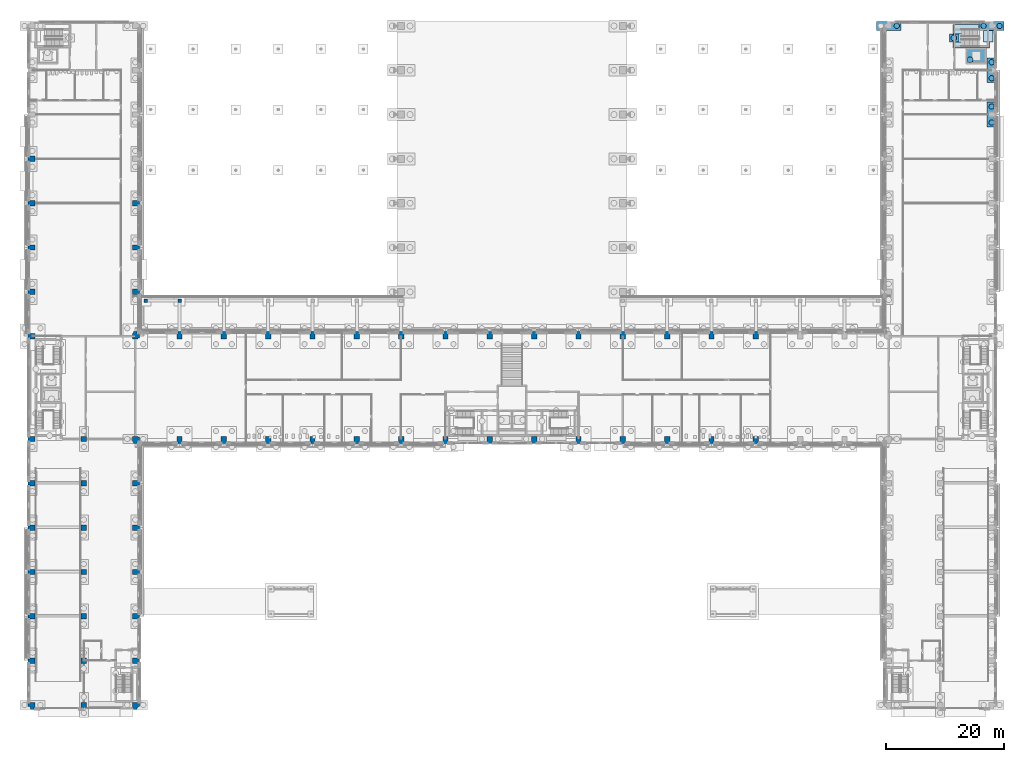
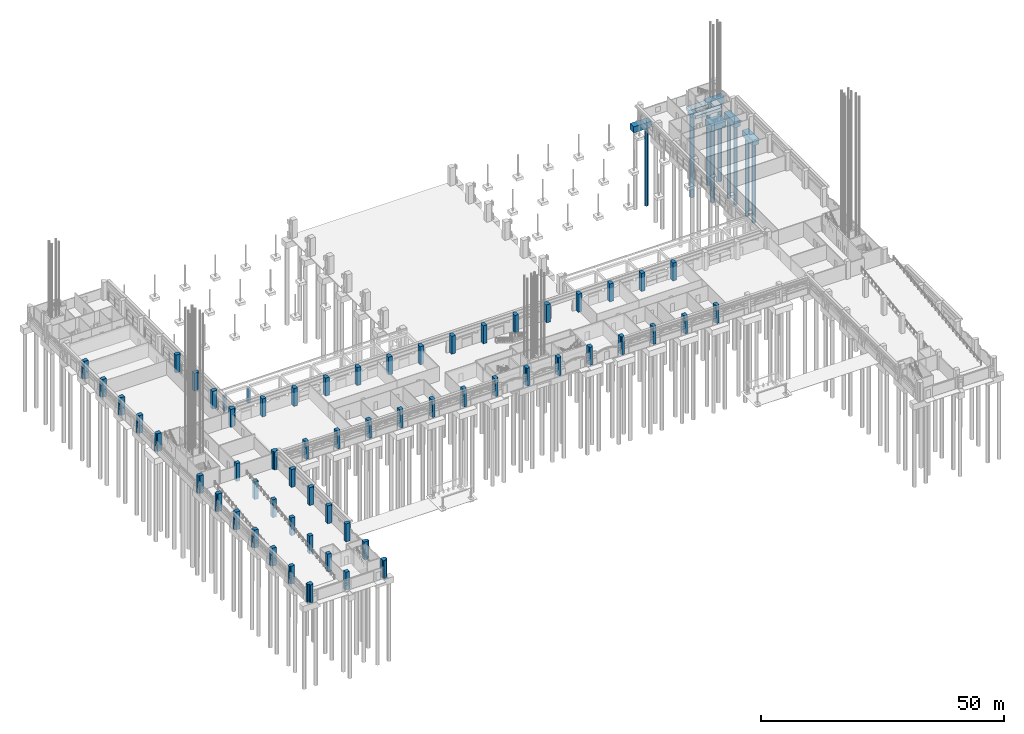
# One storey, part 6 of 99: 60 columns, 9 footings, 9 piles.
"""IFC4 building model written with IfcOpenShell, lengths in metres."""

from ifc_helpers import new_model, si_unit, direction, frame, origin, origin_2d, place, context, subcontext, project, spatial, polyline, rectangle, circle, outline, extrude, material, layer, layer_set, material_profile, profile_set, type_object, element, save


model = new_model("IFC4")

# Units and contexts
model_context = context("Model", 3, precision=1e-05, world=origin(), true_north=direction((0.0, 1.0)))
body_context = subcontext(model_context, "Body", "Model", "MODEL_VIEW")
ifc_project = project(units=[si_unit("LENGTHUNIT", "METRE"), si_unit("AREAUNIT", "SQUARE_METRE"), si_unit("VOLUMEUNIT", "CUBIC_METRE"), si_unit("PLANEANGLEUNIT", "RADIAN"), si_unit("MASSUNIT", "GRAM", prefix="KILO")], contexts=[model_context])

# Site, building, storey
site_placement = place(None, origin())
site = spatial("IfcSite", under=ifc_project, at=site_placement, CompositionType="ELEMENT")
building_placement = place(site_placement, origin())
building = spatial("IfcBuilding", under=site, at=building_placement, Name="Cour d'Honneur Mobility Palace", CompositionType="ELEMENT")
storey_placement = place(building_placement, origin())
storey = spatial("IfcBuildingStorey", under=building, at=storey_placement, Name="L00", CompositionType="ELEMENT", Elevation=0.0)

# Piles
ifc_material_1 = material(Name="Concrete C40", Category="concrete")
ifc_material_profile_1 = material_profile(ifc_material_1, circle(Radius=0.5, at=origin_2d()), Name="Bored pile D1000")
ifc_profile_set_1 = profile_set([ifc_material_profile_1], Name="Concrete C40")
pile_type_1 = type_object("IfcPileType", Name="Bored pile D1000", PredefinedType="BORED", material=ifc_profile_set_1)
pile_1_placement = place(storey_placement, frame((158.675048828125, 109.175048828125, -3.300048828125), z_axis=(0.0, 0.0, -1.0), x_axis=(1.0, 0.0, 0.0)))
element("IfcPile", 1, at=pile_1_placement, inside=storey, type_object=pile_type_1, Name="Bored pile NE.L.1", PredefinedType="BORED", context=body_context, shape_type="SweptSolid", body=[
    extrude(circle(Radius=0.5, at=origin_2d()), origin(), (0.0, 0.0, 1.0), 18.199951171875),
])
pile_2_placement = place(storey_placement, frame((155.89990234375, 112.862548828125, -1.050048828125), z_axis=(0.0, 0.0, -1.0), x_axis=(1.0, 0.0, 0.0)))
element("IfcPile", 2, at=pile_2_placement, inside=storey, type_object=pile_type_1, Name="Bored pile S043.1", PredefinedType="BORED", context=body_context, shape_type="SweptSolid", body=[
    extrude(circle(Radius=0.5, at=origin_2d()), origin(), (0.0, 0.0, 1.0), 20.449951171875),
])
ifc_material_2 = material(Name="Concrete C40", Category="concrete")
ifc_material_profile_2 = material_profile(ifc_material_2, circle(Radius=0.449951171875, at=origin_2d()), Name="Bored pile D900")
ifc_profile_set_2 = profile_set([ifc_material_profile_2], Name="Concrete C40")
pile_type_2 = type_object("IfcPileType", Name="Bored pile D900", PredefinedType="BORED", material=ifc_profile_set_2)
for number, where, z_axis, x_axis, name in (
    (3, (162.300048828125, 98.550048828125, -1.75), (0.0, 0.0, -1.0), (1.0, 0.0, 0.0), "Bored pile L00.20/N.1"),
    (4, (162.300048828125, 101.25, -1.75), (0.0, 0.0, -1.0), (1.0, 0.0, 0.0), "Bored pile L00.20/N.2"),
    (5, (162.300048828125, 106.050048828125, -1.75), (0.0, 0.0, -1.0), (1.0, 0.0, 0.0), "Bored pile L00.20/P.1"),
    (6, (162.300048828125, 108.75, -1.75), (0.0, 0.0, -1.0), (1.0, 0.0, 0.0), "Bored pile L00.20/P.2"),
    (7, (146.25, 114.89990234375, -1.75), (0.0, 0.0, -1.0), (1.0, 0.0, 0.0), "Bored pile L00.19/Q.2"),
    (8, (160.949951171875, 114.89990234375, -1.75), (0.0, 0.0, -1.0), (1.0, 0.0, 0.0), "Bored pile L00.20/Q.1"),
    (9, (163.64990234375, 114.89990234375, -1.75), (0.0, 0.0, -1.0), (1.0, 0.0, 0.0), "Bored pile L00.20/Q.2"),
):
    element("IfcPile", number, at=place(storey_placement, frame(where, z_axis=z_axis, x_axis=x_axis)), inside=storey, type_object=pile_type_2, Name=name, PredefinedType="BORED", context=body_context, shape_type="SweptSolid", body=[
        extrude(circle(Radius=0.449951171875, at=origin_2d()), origin(), (0.0, 0.0, 1.0), 19.75),
    ])

# Footings
ifc_material_3 = material(Name="Concrete C40", Category="concrete")
ifc_layer_1 = layer(ifc_material_3, 1.5)
ifc_layer_set_1 = layer_set([ifc_layer_1], Name="Concrete C40")
footing_type_1 = type_object("IfcFootingType", Name="Pile cap PC2 4200x1500", PredefinedType="PILE_CAP", material=ifc_layer_set_1)
footing_1_placement = place(storey_placement, frame((0.0, 0.0, -1.75)))
element("IfcFooting", 10, at=footing_1_placement, inside=storey, type_object=footing_type_1, Name="Pile cap PC2-20/N", PredefinedType="PILE_CAP", context=body_context, shape_type="SweptSolid", body=[
    extrude(outline(polyline([(161.550048828125, 97.800048828125), (163.050048828125, 97.800048828125), (163.050048828125, 102.0), (161.550048828125, 102.0), (161.550048828125, 97.800048828125)])), origin(), (0.0, 0.0, 1.0), 1.5),
])
footing_2_placement = place(storey_placement, frame((0.0, 0.0, -1.75)))
element("IfcFooting", 11, at=footing_2_placement, inside=storey, type_object=footing_type_1, Name="Pile cap PC2-20/P", PredefinedType="PILE_CAP", context=body_context, shape_type="SweptSolid", body=[
    extrude(outline(polyline([(161.550048828125, 105.300048828125), (163.050048828125, 105.300048828125), (163.050048828125, 109.5), (161.550048828125, 109.5), (161.550048828125, 105.300048828125)])), origin(), (0.0, 0.0, 1.0), 1.5),
])
footing_3_placement = place(storey_placement, frame((0.0, 0.0, -1.75)))
element("IfcFooting", 12, at=footing_3_placement, inside=storey, type_object=footing_type_1, Name="Pile cap PC2-19/Q", PredefinedType="PILE_CAP", context=body_context, shape_type="SweptSolid", body=[
    extrude(outline(polyline([(142.800048828125, 114.14990234375), (147.0, 114.14990234375), (147.0, 115.64990234375), (142.800048828125, 115.64990234375), (142.800048828125, 114.14990234375)])), origin(), (0.0, 0.0, 1.0), 1.5),
])
footing_4_placement = place(storey_placement, frame((0.0, 0.0, -1.75)))
element("IfcFooting", 13, at=footing_4_placement, inside=storey, type_object=footing_type_1, Name="Pile cap PC2-20/Q", PredefinedType="PILE_CAP", context=body_context, shape_type="SweptSolid", body=[
    extrude(outline(polyline([(160.199951171875, 114.14990234375), (164.39990234375, 114.14990234375), (164.39990234375, 115.64990234375), (160.199951171875, 115.64990234375), (160.199951171875, 114.14990234375)])), origin(), (0.0, 0.0, 1.0), 1.5),
])
ifc_material_4 = material(Name="Concrete C40", Category="concrete")
ifc_layer_2 = layer(ifc_material_4, 1.5)
ifc_layer_set_2 = layer_set([ifc_layer_2], Name="Concrete C40")
footing_type_2 = type_object("IfcFootingType", Name="Pit cap 3450x2650", PredefinedType="PILE_CAP", material=ifc_layer_set_2)
footing_5_placement = place(storey_placement, frame((0.0, 0.0, -3.300048828125)))
element("IfcFooting", 14, at=footing_5_placement, inside=storey, type_object=footing_type_2, Name="Pile cap PCL-NE.L", PredefinedType="PILE_CAP", context=body_context, shape_type="SweptSolid", body=[
    extrude(outline(polyline([(157.97509765625, 108.47509765625), (161.425048828125, 108.47509765625), (161.425048828125, 111.125), (157.97509765625, 111.125), (157.97509765625, 108.47509765625)])), origin(), (0.0, 0.0, 1.0), 1.5),
])
ifc_material_5 = material(Name="Concrete C40", Category="concrete")
ifc_layer_3 = layer(ifc_material_5, 0.800048828125)
ifc_layer_set_3 = layer_set([ifc_layer_3], Name="Concrete C40")
footing_type_3 = type_object("IfcFootingType", Name="Strip footing 1075x800", PredefinedType="STRIP_FOOTING", material=ifc_layer_set_3)
footing_6_placement = place(storey_placement, frame((0.0, 0.0, -1.050048828125)))
element("IfcFooting", 15, at=footing_6_placement, inside=storey, type_object=footing_type_3, Name="Strip footing SF-040", PredefinedType="STRIP_FOOTING", context=body_context, shape_type="SweptSolid", body=[
    extrude(outline(polyline([(155.75, 111.125), (161.97509765625, 111.125), (161.97509765625, 112.199951171875), (155.75, 112.199951171875), (155.75, 111.125)])), origin(), (0.0, 0.0, 1.0), 0.800048828125),
])
ifc_material_6 = material(Name="Concrete C40", Category="concrete")
ifc_layer_4 = layer(ifc_material_6, 0.800048828125)
ifc_layer_set_4 = layer_set([ifc_layer_4], Name="Concrete C40")
footing_type_4 = type_object("IfcFootingType", Name="Strip footing 1325x800", PredefinedType="STRIP_FOOTING", material=ifc_layer_set_4)
footing_7_placement = place(storey_placement, frame((0.0, 0.0, -1.050048828125)))
element("IfcFooting", 16, at=footing_7_placement, inside=storey, type_object=footing_type_4, Name="Strip footing SF-043", PredefinedType="STRIP_FOOTING", context=body_context, shape_type="SweptSolid", body=[
    extrude(outline(polyline([(155.199951171875, 112.199951171875), (156.800048828125, 112.199951171875), (156.800048828125, 113.52490234375), (155.199951171875, 113.52490234375), (155.199951171875, 112.199951171875)])), origin(), (0.0, 0.0, 1.0), 0.800048828125),
])
ifc_material_7 = material(Name="Concrete C40", Category="concrete")
ifc_layer_5 = layer(ifc_material_7, 0.800048828125)
ifc_layer_set_5 = layer_set([ifc_layer_5], Name="Concrete C40")
footing_type_5 = type_object("IfcFootingType", Name="Strip footing 1600x800", PredefinedType="STRIP_FOOTING", material=ifc_layer_set_5)
footing_8_placement = place(storey_placement, frame((0.0, 0.0, -1.050048828125)))
element("IfcFooting", 17, at=footing_8_placement, inside=storey, type_object=footing_type_5, Name="Strip footing SF-044", PredefinedType="STRIP_FOOTING", context=body_context, shape_type="SweptSolid", body=[
    extrude(outline(polyline([(160.925048828125, 112.199951171875), (162.52490234375, 112.199951171875), (162.52490234375, 114.14990234375), (160.925048828125, 114.14990234375), (160.925048828125, 112.199951171875)])), origin(), (0.0, 0.0, 1.0), 0.800048828125),
])
footing_9_placement = place(storey_placement, frame((0.0, 0.0, -1.050048828125)))
element("IfcFooting", 18, at=footing_9_placement, inside=storey, type_object=footing_type_5, Name="Strip footing SF-046", PredefinedType="STRIP_FOOTING", context=body_context, shape_type="SweptSolid", body=[
    extrude(outline(polyline([(155.75, 113.52490234375), (160.199951171875, 113.52490234375), (160.199951171875, 115.125), (155.75, 115.125), (155.75, 113.52490234375)])), origin(), (0.0, 0.0, 1.0), 0.800048828125),
])

# Columns
ifc_material_8 = material(Name="Concrete C50", Category="concrete")
ifc_material_profile_3 = material_profile(ifc_material_8, rectangle(XDim=0.60009765625, YDim=0.60009765625, at=origin_2d()), Name="Arcade column 600x600")
ifc_profile_set_3 = profile_set([ifc_material_profile_3], Name="Concrete C50")
column_type_1 = type_object("IfcColumnType", Name="Arcade column 600x600", PredefinedType="COLUMN", material=ifc_profile_set_3)
for number, where, z_axis, x_axis, name in (
    (19, (19.199951171875, 68.39990234375, -0.300048828125), (0.0, 0.0, 1.0), (1.0, 0.0, 0.0), "Arcade column AC-W1"),
    (20, (24.89990234375, 68.39990234375, -0.300048828125), (0.0, 0.0, 1.0), (1.0, 0.0, 0.0), "Arcade column AC-W2"),
):
    element("IfcColumn", number, at=place(storey_placement, frame(where, z_axis=z_axis, x_axis=x_axis)), inside=storey, type_object=column_type_1, Name=name, PredefinedType="COLUMN", context=body_context, shape_type="SweptSolid", body=[
        extrude(rectangle(XDim=0.60009765625, YDim=0.60009765625, at=origin_2d()), origin(), (0.0, 0.0, 1.0), 3.699951171875),
    ])
ifc_material_9 = material(Name="Concrete C50", Category="concrete")
ifc_material_profile_4 = material_profile(ifc_material_9, outline(polyline([(-0.449951171875, -0.449951171875), (0.449951171875, -0.449951171875), (0.449951171875, -0.300048828125), (0.75, -0.300048828125), (0.75, 0.300048828125), (0.449951171875, 0.300048828125), (0.449951171875, 0.449951171875), (0.300048828125, 0.449951171875), (0.300048828125, 0.75), (-0.300048828125, 0.75), (-0.300048828125, 0.449951171875), (-0.449951171875, 0.449951171875), (-0.449951171875, -0.449951171875)])), Name="PC C900 corner")
ifc_profile_set_4 = profile_set([ifc_material_profile_4], Name="Concrete C50")
column_type_2 = type_object("IfcColumnType", Name="Precast Column 900 corner", PredefinedType="COLUMN", material=ifc_profile_set_4)
for number, where, z_axis, x_axis, name in (
    (21, (0.0, 0.0, 0.0), (0.0, 0.0, 1.0), (-1.0, 0.0, 0.0), "Precast column C1 1/A L00"),
    (22, (17.39990234375, 0.0, 0.0), (0.0, 0.0, 1.0), (0.0, -1.0, 0.0), "Precast column C1 2/A L00"),
    (23, (17.39990234375, 45.0, 0.0), (0.0, 0.0, 1.0), (0.0, -1.0, 0.0), "Precast column C1 2/G L00"),
    (24, (17.39990234375, 62.39990234375, 0.0), (0.0, 0.0, 1.0), (1.0, 0.0, 0.0), "Precast column C1 2/H L00"),
):
    element("IfcColumn", number, at=place(storey_placement, frame(where, z_axis=z_axis, x_axis=x_axis)), inside=storey, type_object=column_type_2, Name=name, PredefinedType="COLUMN", context=body_context, shape_type="SweptSolid", body=[
        extrude(outline(polyline([(-0.449951171875, -0.449951171875), (0.449951171875, -0.449951171875), (0.449951171875, -0.300048828125), (0.75, -0.300048828125), (0.75, 0.300048828125), (0.449951171875, 0.300048828125), (0.449951171875, 0.449951171875), (0.300048828125, 0.449951171875), (0.300048828125, 0.75), (-0.300048828125, 0.75), (-0.300048828125, 0.449951171875), (-0.449951171875, 0.449951171875), (-0.449951171875, -0.449951171875)])), origin(), (0.0, 0.0, 1.0), 4.5),
    ])
ifc_material_10 = material(Name="Concrete C50", Category="concrete")
ifc_material_profile_5 = material_profile(ifc_material_10, outline(polyline([(-0.449951171875, -0.449951171875), (0.449951171875, -0.449951171875), (0.449951171875, -0.300048828125), (0.75, -0.300048828125), (0.75, 0.300048828125), (0.449951171875, 0.300048828125), (0.449951171875, 0.449951171875), (-0.449951171875, 0.449951171875), (-0.449951171875, -0.449951171875)])), Name="PC C900 pilaster")
ifc_profile_set_5 = profile_set([ifc_material_profile_5], Name="Concrete C50")
column_type_3 = type_object("IfcColumnType", Name="Precast Column 900 pilaster", PredefinedType="COLUMN", material=ifc_profile_set_5)
for number, where, z_axis, x_axis, name in (
    (25, (0.0, 7.5, 0.0), (0.0, 0.0, 1.0), (-1.0, 0.0, 0.0), "Precast column C3 1/B L00"),
    (26, (17.39990234375, 7.5, 0.0), (0.0, 0.0, 1.0), (1.0, 0.0, 0.0), "Precast column C3 2/B L00"),
    (27, (0.0, 15.0, 0.0), (0.0, 0.0, 1.0), (-1.0, 0.0, 0.0), "Precast column C3 1/C L00"),
    (28, (17.39990234375, 15.0, 0.0), (0.0, 0.0, 1.0), (1.0, 0.0, 0.0), "Precast column C3 2/C L00"),
    (29, (0.0, 22.5, 0.0), (0.0, 0.0, 1.0), (-1.0, 0.0, 0.0), "Precast column C3 1/D L00"),
    (30, (17.39990234375, 22.5, 0.0), (0.0, 0.0, 1.0), (1.0, 0.0, 0.0), "Precast column C3 2/D L00"),
    (31, (0.0, 30.0, 0.0), (0.0, 0.0, 1.0), (-1.0, 0.0, 0.0), "Precast column C3 1/E L00"),
    (32, (17.39990234375, 30.0, 0.0), (0.0, 0.0, 1.0), (1.0, 0.0, 0.0), "Precast column C3 2/E L00"),
    (33, (0.0, 37.5, 0.0), (0.0, 0.0, 1.0), (-1.0, 0.0, 0.0), "Precast column C3 1/F L00"),
    (34, (17.39990234375, 37.5, 0.0), (0.0, 0.0, 1.0), (1.0, 0.0, 0.0), "Precast column C3 2/F L00"),
    (35, (0.0, 45.0, 0.0), (0.0, 0.0, 1.0), (-1.0, 0.0, 0.0), "Precast column C3 1/G L00"),
    (36, (24.89990234375, 45.0, 0.0), (0.0, 0.0, 1.0), (0.0, -1.0, 0.0), "Precast column C3 3/G L00"),
    (37, (32.39990234375, 45.0, 0.0), (0.0, 0.0, 1.0), (0.0, -1.0, 0.0), "Precast column C3 4/G L00"),
    (38, (39.89990234375, 45.0, 0.0), (0.0, 0.0, 1.0), (0.0, -1.0, 0.0), "Precast column C3 5/G L00"),
    (39, (47.39990234375, 45.0, 0.0), (0.0, 0.0, 1.0), (0.0, -1.0, 0.0), "Precast column C3 6/G L00"),
    (40, (54.89990234375, 45.0, 0.0), (0.0, 0.0, 1.0), (0.0, -1.0, 0.0), "Precast column C3 7/G L00"),
    (41, (62.39990234375, 45.0, 0.0), (0.0, 0.0, 1.0), (0.0, -1.0, 0.0), "Precast column C3 8/G L00"),
    (42, (69.89990234375, 45.0, 0.0), (0.0, 0.0, 1.0), (0.0, -1.0, 0.0), "Precast column C3 9/G L00"),
    (43, (77.39990234375, 45.0, 0.0), (0.0, 0.0, 1.0), (0.0, -1.0, 0.0), "Precast column C3 10/G L00"),
    (44, (84.89990234375, 45.0, 0.0), (0.0, 0.0, 1.0), (0.0, -1.0, 0.0), "Precast column C3 11/G L00"),
    (45, (92.39990234375, 45.0, 0.0), (0.0, 0.0, 1.0), (0.0, -1.0, 0.0), "Precast column C3 12/G L00"),
    (46, (99.89990234375, 45.0, 0.0), (0.0, 0.0, 1.0), (0.0, -1.0, 0.0), "Precast column C3 13/G L00"),
    (47, (107.39990234375, 45.0, 0.0), (0.0, 0.0, 1.0), (0.0, -1.0, 0.0), "Precast column C3 14/G L00"),
    (48, (114.89990234375, 45.0, 0.0), (0.0, 0.0, 1.0), (0.0, -1.0, 0.0), "Precast column C3 15/G L00"),
    (49, (122.39990234375, 45.0, 0.0), (0.0, 0.0, 1.0), (0.0, -1.0, 0.0), "Precast column C3 16/G L00"),
    (50, (0.0, 62.39990234375, 0.0), (0.0, 0.0, 1.0), (-1.0, 0.0, 0.0), "Precast column C3 1/H L00"),
    (51, (24.89990234375, 62.39990234375, 0.0), (0.0, 0.0, 1.0), (0.0, 1.0, 0.0), "Precast column C3 3/H L00"),
    (52, (32.39990234375, 62.39990234375, 0.0), (0.0, 0.0, 1.0), (0.0, 1.0, 0.0), "Precast column C3 4/H L00"),
    (53, (39.89990234375, 62.39990234375, 0.0), (0.0, 0.0, 1.0), (0.0, 1.0, 0.0), "Precast column C3 5/H L00"),
    (54, (47.39990234375, 62.39990234375, 0.0), (0.0, 0.0, 1.0), (0.0, 1.0, 0.0), "Precast column C3 6/H L00"),
    (55, (54.89990234375, 62.39990234375, 0.0), (0.0, 0.0, 1.0), (0.0, 1.0, 0.0), "Precast column C3 7/H L00"),
    (56, (62.39990234375, 62.39990234375, 0.0), (0.0, 0.0, 1.0), (0.0, 1.0, 0.0), "Precast column C3 8/H L00"),
    (57, (69.89990234375, 62.39990234375, 0.0), (0.0, 0.0, 1.0), (0.0, 1.0, 0.0), "Precast column C3 9/H L00"),
    (58, (77.39990234375, 62.39990234375, 0.0), (0.0, 0.0, 1.0), (0.0, 1.0, 0.0), "Precast column C3 10/H L00"),
    (59, (84.89990234375, 62.39990234375, 0.0), (0.0, 0.0, 1.0), (0.0, 1.0, 0.0), "Precast column C3 11/H L00"),
    (60, (92.39990234375, 62.39990234375, 0.0), (0.0, 0.0, 1.0), (0.0, 1.0, 0.0), "Precast column C3 12/H L00"),
    (61, (99.89990234375, 62.39990234375, 0.0), (0.0, 0.0, 1.0), (0.0, 1.0, 0.0), "Precast column C3 13/H L00"),
    (62, (107.39990234375, 62.39990234375, 0.0), (0.0, 0.0, 1.0), (0.0, 1.0, 0.0), "Precast column C3 14/H L00"),
    (63, (114.89990234375, 62.39990234375, 0.0), (0.0, 0.0, 1.0), (0.0, 1.0, 0.0), "Precast column C3 15/H L00"),
    (64, (122.39990234375, 62.39990234375, 0.0), (0.0, 0.0, 1.0), (0.0, 1.0, 0.0), "Precast column C3 16/H L00"),
    (65, (0.0, 69.89990234375, 0.0), (0.0, 0.0, 1.0), (-1.0, 0.0, 0.0), "Precast column C3 1/J L00"),
    (66, (17.39990234375, 69.89990234375, 0.0), (0.0, 0.0, 1.0), (1.0, 0.0, 0.0), "Precast column C3 2/J L00"),
    (67, (0.0, 77.39990234375, 0.0), (0.0, 0.0, 1.0), (-1.0, 0.0, 0.0), "Precast column C3 1/K L00"),
    (68, (17.39990234375, 77.39990234375, 0.0), (0.0, 0.0, 1.0), (1.0, 0.0, 0.0), "Precast column C3 2/K L00"),
    (69, (0.0, 84.89990234375, 0.0), (0.0, 0.0, 1.0), (-1.0, 0.0, 0.0), "Precast column C3 1/L L00"),
    (70, (17.39990234375, 84.89990234375, 0.0), (0.0, 0.0, 1.0), (1.0, 0.0, 0.0), "Precast column C3 2/L L00"),
    (71, (0.0, 92.39990234375, 0.0), (0.0, 0.0, 1.0), (-1.0, 0.0, 0.0), "Precast column C3 1/M L00"),
):
    element("IfcColumn", number, at=place(storey_placement, frame(where, z_axis=z_axis, x_axis=x_axis)), inside=storey, type_object=column_type_3, Name=name, PredefinedType="COLUMN", context=body_context, shape_type="SweptSolid", body=[
        extrude(outline(polyline([(-0.449951171875, -0.449951171875), (0.449951171875, -0.449951171875), (0.449951171875, -0.300048828125), (0.75, -0.300048828125), (0.75, 0.300048828125), (0.449951171875, 0.300048828125), (0.449951171875, 0.449951171875), (-0.449951171875, 0.449951171875), (-0.449951171875, -0.449951171875)])), origin(), (0.0, 0.0, 1.0), 4.5),
    ])
ifc_material_11 = material(Name="Concrete C50", Category="concrete")
ifc_material_profile_6 = material_profile(ifc_material_11, outline(polyline([(-0.449951171875, -0.449951171875), (0.449951171875, -0.449951171875), (0.449951171875, 0.449951171875), (-0.449951171875, 0.449951171875), (-0.449951171875, -0.449951171875)])), Name="PC C900 plain")
ifc_profile_set_6 = profile_set([ifc_material_profile_6], Name="Concrete C50")
column_type_4 = type_object("IfcColumnType", Name="Precast Column 900 plain", PredefinedType="COLUMN", material=ifc_profile_set_6)
for number, where, z_axis, x_axis, name in (
    (72, (8.699951171875, 0.0, 0.0), (0.0, 0.0, 1.0), (1.0, 0.0, 0.0), "Precast column C2 1A/A L00"),
    (73, (8.699951171875, 7.5, 0.0), (0.0, 0.0, 1.0), (1.0, 0.0, 0.0), "Precast column C2 1A/B L00"),
    (74, (8.699951171875, 15.0, 0.0), (0.0, 0.0, 1.0), (1.0, 0.0, 0.0), "Precast column C2 1A/C L00"),
    (75, (8.699951171875, 22.5, 0.0), (0.0, 0.0, 1.0), (1.0, 0.0, 0.0), "Precast column C2 1A/D L00"),
    (76, (8.699951171875, 30.0, 0.0), (0.0, 0.0, 1.0), (1.0, 0.0, 0.0), "Precast column C2 1A/E L00"),
    (77, (8.699951171875, 37.5, 0.0), (0.0, 0.0, 1.0), (1.0, 0.0, 0.0), "Precast column C2 1A/F L00"),
    (78, (8.699951171875, 45.0, 0.0), (0.0, 0.0, 1.0), (1.0, 0.0, 0.0), "Precast column C2 1A/G L00"),
):
    element("IfcColumn", number, at=place(storey_placement, frame(where, z_axis=z_axis, x_axis=x_axis)), inside=storey, type_object=column_type_4, Name=name, PredefinedType="COLUMN", context=body_context, shape_type="SweptSolid", body=[
        extrude(outline(polyline([(-0.449951171875, -0.449951171875), (0.449951171875, -0.449951171875), (0.449951171875, 0.449951171875), (-0.449951171875, 0.449951171875), (-0.449951171875, -0.449951171875)])), origin(), (0.0, 0.0, 1.0), 4.5),
    ])

save(model, "model.ifc")
